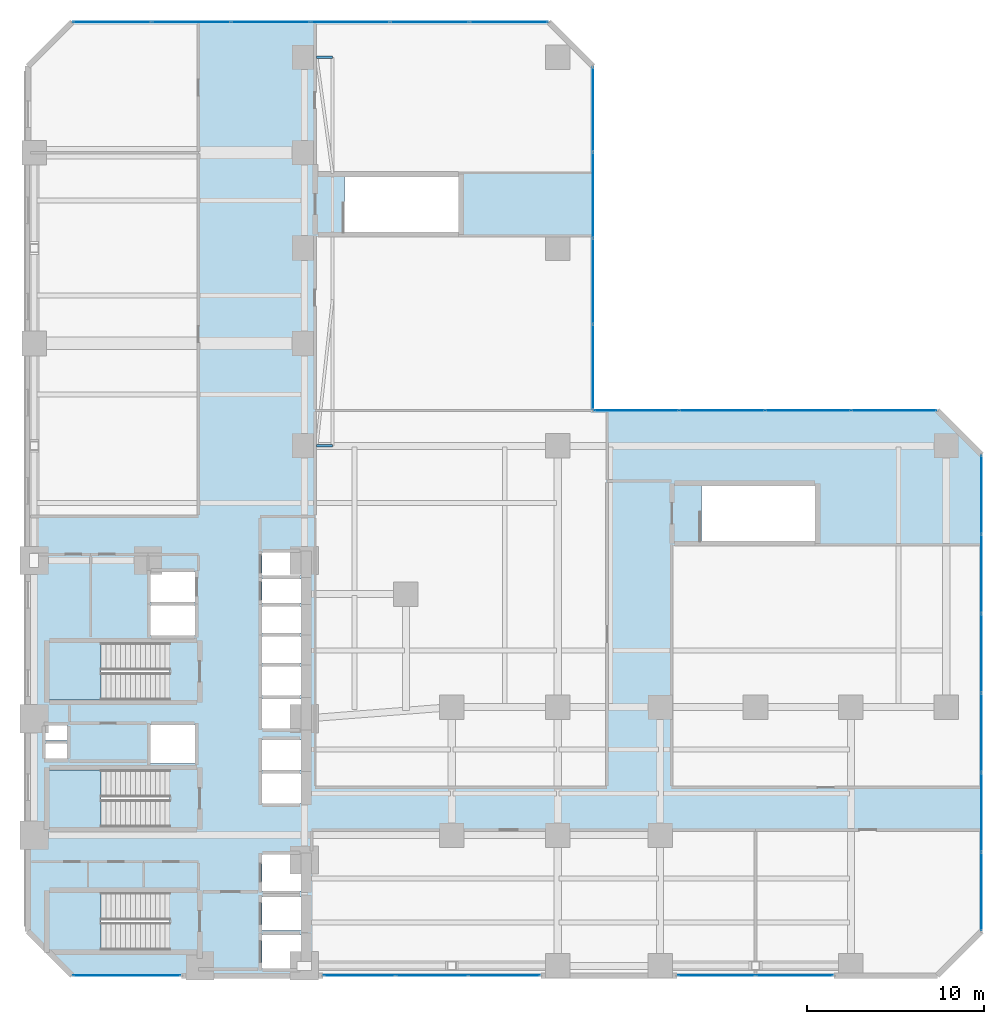
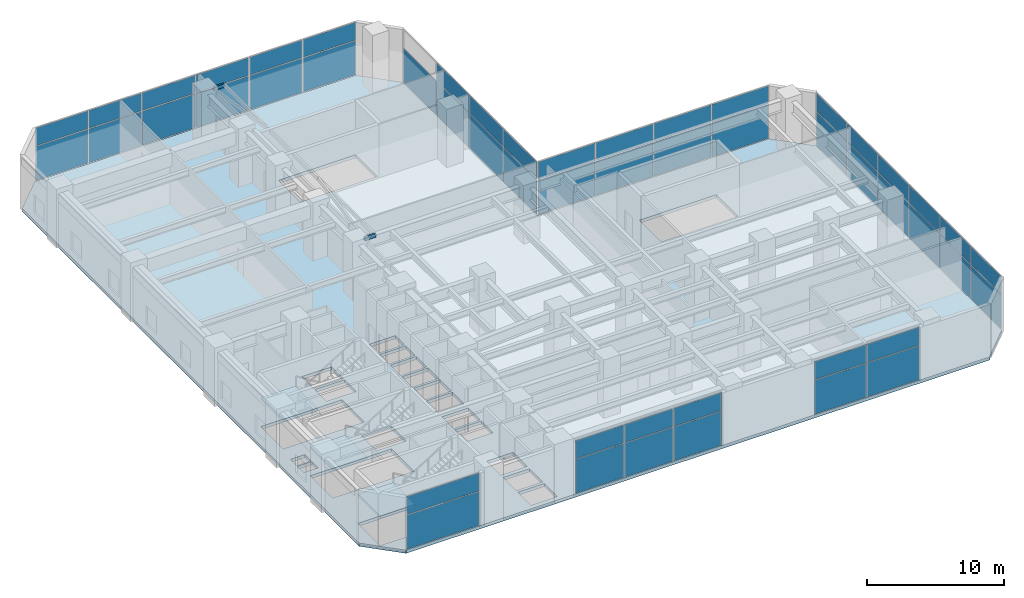
# One storey, part 21 of 29: 51 plates, 4 slabs, 2 beams, 10 elements without a shape of their own.
"""IFC4 building model written with IfcOpenShell, lengths in metres."""

from ifc_helpers import new_model, si_unit, direction, frame, origin, origin_2d, place, context, subcontext, project, spatial, polyline, rectangle, hollow_rectangle, outline, extrude, material, layer, layer_set, material_profile, profile_set, type_object, element, aggregate, save


model = new_model("IFC4")

# Units and contexts
model_context = context("Model", 3, precision=1e-05, world=origin(), true_north=direction((0.0, 1.0)))
body_context = subcontext(model_context, "Body", "Model", "MODEL_VIEW")
ifc_project = project(units=[si_unit("LENGTHUNIT", "METRE"), si_unit("AREAUNIT", "SQUARE_METRE"), si_unit("VOLUMEUNIT", "CUBIC_METRE"), si_unit("PLANEANGLEUNIT", "RADIAN"), si_unit("MASSUNIT", "GRAM", prefix="KILO")], contexts=[model_context])

# Site, building, storey
site_placement = place(None, origin())
site = spatial("IfcSite", under=ifc_project, at=site_placement, CompositionType="ELEMENT")
building_placement = place(site_placement, origin())
building = spatial("IfcBuilding", under=site, at=building_placement, Name="Mawjaban Terraces University", CompositionType="ELEMENT")
storey_placement = place(building_placement, frame((0.0, 0.0, 20.800048828125)))
storey = spatial("IfcBuildingStorey", under=building, at=storey_placement, Name="L04", CompositionType="ELEMENT", Elevation=20.800048828125)

# Beams
ifc_material_1 = material(Name="Steel EN 10210-1 S355J2H", Category="steel")
ifc_material_profile = material_profile(ifc_material_1, hollow_rectangle(XDim=0.14990234375, YDim=0.300048828125, WallThickness=0.012451171875, at=origin_2d()), Name="RHS300X150X12.5")
ifc_profile_set = profile_set([ifc_material_profile], Name="Steel EN 10210-1 S355J2H")
beam_type = type_object("IfcBeamType", Name="BalconyCantileverSpandrel_RHS", PredefinedType="SPANDREL", material=ifc_profile_set)
for number, where, z_axis, x_axis, name in (
    (1, (38.35009765625, 30.0, 4.6298828125), (1.0, 0.0, 0.0), (0.0, 1.0, 0.0), "L04 Exterior Outrigger BAL-L05-E.1"),
    (2, (38.35009765625, 52.0, 4.6298828125), (1.0, 0.0, 0.0), (0.0, 1.0, 0.0), "L04 Exterior Outrigger BAL-L05-E.2"),
):
    element("IfcBeam", number, at=place(storey_placement, frame(where, z_axis=z_axis, x_axis=x_axis)), inside=storey, type_object=beam_type, Name=name, PredefinedType="SPANDREL", context=body_context, shape_type="SweptSolid", body=[
        extrude(hollow_rectangle(XDim=0.14990234375, YDim=0.300048828125, WallThickness=0.012451171875, at=origin_2d()), origin(), (0.0, 0.0, 1.0), 0.89990234375),
    ])

# Slab
ifc_material_2 = material(Name="Concrete C40/50", Category="concrete")
ifc_layer_1 = layer(ifc_material_2, 0.280029296875)
ifc_layer_set_1 = layer_set([ifc_layer_1], Name="Concrete C40/50")
slab_type_1 = type_object("IfcSlabType", Name="PodiumSlab_280", PredefinedType="FLOOR", material=ifc_layer_set_1)
slab_1_placement = place(storey_placement, frame((0.0, 0.0, -0.280029296875)))
element("IfcSlab", 3, at=slab_1_placement, inside=storey, type_object=slab_type_1, Name="L04 Primary Structural Slab", PredefinedType="FLOOR", context=body_context, shape_type="SweptSolid", body=[
    extrude(outline(polyline([(24.5, 0.0), (73.5, 0.0), (76.0, 2.5), (76.0, 29.5), (73.5, 32.0), (54.0, 32.0), (54.0, 51.5), (51.5, 54.0), (24.5, 54.0), (22.0, 51.5), (22.0, 2.5), (24.5, 0.0)]), holes=[polyline([(30.014892578125, 4.699951171875), (23.199951171875, 4.699951171875), (23.199951171875, 1.449951171875), (30.014892578125, 1.449951171875), (30.014892578125, 4.699951171875)]), polyline([(30.014892578125, 18.85009765625), (23.199951171875, 18.85009765625), (23.199951171875, 15.60009765625), (30.014892578125, 15.60009765625), (30.014892578125, 18.85009765625)]), polyline([(30.014892578125, 11.64990234375), (23.199951171875, 11.64990234375), (23.199951171875, 8.39990234375), (30.014892578125, 8.39990234375), (30.014892578125, 11.64990234375)]), polyline([(39.93505859375, 42.10009765625), (46.39990234375, 42.10009765625), (46.39990234375, 45.25), (39.93505859375, 45.25), (39.93505859375, 42.10009765625)]), polyline([(60.135009765625, 24.60009765625), (66.60009765625, 24.60009765625), (66.60009765625, 27.75), (60.135009765625, 27.75), (60.135009765625, 24.60009765625)]), polyline([(35.25, 0.39990234375), (37.449951171875, 0.39990234375), (37.449951171875, 2.300048828125), (35.25, 2.300048828125), (35.25, 0.39990234375)]), polyline([(35.25, 2.550048828125), (37.449951171875, 2.550048828125), (37.449951171875, 4.449951171875), (35.25, 4.449951171875), (35.25, 2.550048828125)]), polyline([(35.25, 4.800048828125), (37.449951171875, 4.800048828125), (37.449951171875, 6.85009765625), (35.25, 6.85009765625), (35.25, 4.800048828125)]), polyline([(35.25, 9.75), (37.449951171875, 9.75), (37.449951171875, 11.449951171875), (35.25, 11.449951171875), (35.25, 9.75)]), polyline([(35.25, 11.64990234375), (37.449951171875, 11.64990234375), (37.449951171875, 13.35009765625), (35.25, 13.35009765625), (35.25, 11.64990234375)]), polyline([(28.949951171875, 12.0), (31.449951171875, 12.0), (31.449951171875, 14.199951171875), (28.949951171875, 14.199951171875), (28.949951171875, 12.0)]), polyline([(35.25, 14.0), (37.449951171875, 14.0), (37.449951171875, 15.64990234375), (35.25, 15.64990234375), (35.25, 14.0)]), polyline([(35.25, 15.85009765625), (37.449951171875, 15.85009765625), (37.449951171875, 17.5), (35.25, 17.5), (35.25, 15.85009765625)]), polyline([(35.25, 17.699951171875), (37.449951171875, 17.699951171875), (37.449951171875, 19.199951171875), (35.25, 19.199951171875), (35.25, 17.699951171875)]), polyline([(35.25, 19.39990234375), (37.449951171875, 19.39990234375), (37.449951171875, 20.89990234375), (35.25, 20.89990234375), (35.25, 19.39990234375)]), polyline([(28.949951171875, 19.25), (31.449951171875, 19.25), (31.449951171875, 20.949951171875), (28.949951171875, 20.949951171875), (28.949951171875, 19.25)]), polyline([(35.25, 21.10009765625), (37.449951171875, 21.10009765625), (37.449951171875, 22.449951171875), (35.25, 22.449951171875), (35.25, 21.10009765625)]), polyline([(35.25, 22.64990234375), (37.449951171875, 22.64990234375), (37.449951171875, 23.949951171875), (35.25, 23.949951171875), (35.25, 22.64990234375)]), polyline([(28.949951171875, 21.14990234375), (31.449951171875, 21.14990234375), (31.449951171875, 22.85009765625), (28.949951171875, 22.85009765625), (28.949951171875, 21.14990234375)]), polyline([(23.0, 12.25), (24.199951171875, 12.25), (24.199951171875, 13.14990234375), (23.0, 13.14990234375), (23.0, 12.25)]), polyline([(23.0, 13.300048828125), (24.199951171875, 13.300048828125), (24.199951171875, 14.179931640625), (23.0, 14.179931640625), (23.0, 13.300048828125)])]), origin(), (0.0, 0.0, 1.0), 0.280029296875),
])

# Stair, slab
stair_type = type_object("IfcStairType", Name="Stair_Core1550_H52", PredefinedType="HALF_TURN_STAIR", material=ifc_material_2)
stair_1_placement = place(storey_placement, origin())
stair_1 = element("IfcStair", 4, at=stair_1_placement, inside=storey, type_object=stair_type, Name="L04 Core Exit Stair 1", PredefinedType="HALF_TURN_STAIR")
ifc_layer_2 = layer(ifc_material_2, 0.199951171875)
ifc_layer_set_2 = layer_set([ifc_layer_2], Name="Concrete C40/50")
slab_type_2 = type_object("IfcSlabType", Name="StairLandingSlab_200", PredefinedType="LANDING", material=ifc_layer_set_2)
slab_2_placement = place(storey_placement, frame((0.0, 0.0, 2.39990234375)))
slab_2 = element("IfcSlab", 5, at=slab_2_placement, type_object=slab_type_2, Name="ST-1 landing 1", PredefinedType="LANDING", context=body_context, shape_type="SweptSolid", body=[
    extrude(outline(polyline([(26.1298828125, 4.699951171875), (23.199951171875, 4.699951171875), (23.199951171875, 1.449951171875), (26.1298828125, 1.449951171875), (26.1298828125, 4.699951171875)])), origin(), (0.0, 0.0, 1.0), 0.199951171875),
])
aggregate(stair_1, [slab_2])

stair_2_placement = place(storey_placement, origin())
stair_2 = element("IfcStair", 6, at=stair_2_placement, inside=storey, type_object=stair_type, Name="L04 Core Exit Stair 2", PredefinedType="HALF_TURN_STAIR")
slab_3_placement = place(storey_placement, frame((0.0, 0.0, 2.39990234375)))
slab_3 = element("IfcSlab", 7, at=slab_3_placement, type_object=slab_type_2, Name="ST-2 landing 1", PredefinedType="LANDING", context=body_context, shape_type="SweptSolid", body=[
    extrude(outline(polyline([(26.1298828125, 18.85009765625), (23.199951171875, 18.85009765625), (23.199951171875, 15.60009765625), (26.1298828125, 15.60009765625), (26.1298828125, 18.85009765625)])), origin(), (0.0, 0.0, 1.0), 0.199951171875),
])
aggregate(stair_2, [slab_3])

stair_3_placement = place(storey_placement, origin())
stair_3 = element("IfcStair", 8, at=stair_3_placement, inside=storey, type_object=stair_type, Name="L04 Core Exit Stair 3", PredefinedType="HALF_TURN_STAIR")
slab_4_placement = place(storey_placement, frame((0.0, 0.0, 2.39990234375)))
slab_4 = element("IfcSlab", 9, at=slab_4_placement, type_object=slab_type_2, Name="ST-3 landing 1", PredefinedType="LANDING", context=body_context, shape_type="SweptSolid", body=[
    extrude(outline(polyline([(26.1298828125, 11.64990234375), (23.199951171875, 11.64990234375), (23.199951171875, 8.39990234375), (26.1298828125, 8.39990234375), (26.1298828125, 11.64990234375)])), origin(), (0.0, 0.0, 1.0), 0.199951171875),
])
aggregate(stair_3, [slab_4])

# Curtain wall, plates
ifc_material_3 = material(Name="Anodised aluminium 6063-T6 and solar-control low-E glass", Category="aluminium")
ifc_layer_3 = layer(ifc_material_3, 0.175048828125)
ifc_layer_set_3 = layer_set([ifc_layer_3], Name="Anodised aluminium 6063-T6 and solar-control low-E glass")
curtain_wall_type = type_object("IfcCurtainWallType", Name="CWSystem_02_PodiumLibrary", PredefinedType="NOTDEFINED", material=ifc_layer_set_3)
curtain_wall_1_placement = place(storey_placement, origin())
curtain_wall_1 = element("IfcCurtainWall", 10, at=curtain_wall_1_placement, inside=storey, type_object=curtain_wall_type, Name="L04 Curtain Wall CW-02 Run 1.1", PredefinedType="NOTDEFINED")
ifc_material_4 = material(Name="Low-E solar-control double glazing", Category="glass")
ifc_layer_4 = layer(ifc_material_4, 0.030029296875)
ifc_layer_set_4 = layer_set([ifc_layer_4], Name="Low-E solar-control double glazing")
plate_type = type_object("IfcPlateType", Name="VisionPanel_CW-02", PredefinedType="CURTAIN_PANEL", material=ifc_layer_set_4)
plate_1_placement = place(storey_placement, frame((27.60009765625, 0.0, 0.059814453125), z_axis=(0.0, 0.0, 1.0), x_axis=(1.0, 0.0, 0.0)))
plate_1 = element("IfcPlate", 11, at=plate_1_placement, type_object=plate_type, Name="CW-02 panel 1.1", PredefinedType="CURTAIN_PANEL", context=body_context, shape_type="SweptSolid", body=[
    extrude(rectangle(XDim=6.070068359375, YDim=0.028076171875, at=origin_2d()), origin(), (0.0, 0.0, 1.0), 3.01708984375),
])
plate_2_placement = place(storey_placement, frame((27.60009765625, 0.0, 3.136962890625), z_axis=(0.0, 0.0, 1.0), x_axis=(1.0, 0.0, 0.0)))
plate_2 = element("IfcPlate", 12, at=plate_2_placement, type_object=plate_type, Name="CW-02 panel 1.2", PredefinedType="CURTAIN_PANEL", context=body_context, shape_type="SweptSolid", body=[
    extrude(rectangle(XDim=6.070068359375, YDim=0.028076171875, at=origin_2d()), origin(), (0.0, 0.0, 1.0), 1.5830078125),
])
aggregate(curtain_wall_1, [plate_1, plate_2])

curtain_wall_2_placement = place(storey_placement, origin())
curtain_wall_2 = element("IfcCurtainWall", 13, at=curtain_wall_2_placement, inside=storey, type_object=curtain_wall_type, Name="L04 Curtain Wall CW-02 Run 1.2", PredefinedType="NOTDEFINED")
plate_3_placement = place(storey_placement, frame((40.774658203125, 0.0, 0.059814453125), z_axis=(0.0, 0.0, 1.0), x_axis=(1.0, 0.0, 0.0)))
plate_3 = element("IfcPlate", 14, at=plate_3_placement, type_object=plate_type, Name="CW-02 panel 1.1", PredefinedType="CURTAIN_PANEL", context=body_context, shape_type="SweptSolid", body=[
    extrude(rectangle(XDim=4.019287109375, YDim=0.028076171875, at=origin_2d()), origin(), (0.0, 0.0, 1.0), 3.01708984375),
])
plate_4_placement = place(storey_placement, frame((40.774658203125, 0.0, 3.136962890625), z_axis=(0.0, 0.0, 1.0), x_axis=(1.0, 0.0, 0.0)))
plate_4 = element("IfcPlate", 15, at=plate_4_placement, type_object=plate_type, Name="CW-02 panel 1.2", PredefinedType="CURTAIN_PANEL", context=body_context, shape_type="SweptSolid", body=[
    extrude(rectangle(XDim=4.019287109375, YDim=0.028076171875, at=origin_2d()), origin(), (0.0, 0.0, 1.0), 1.5830078125),
])
plate_5_placement = place(storey_placement, frame((44.875, 0.0, 0.059814453125), z_axis=(0.0, 0.0, 1.0), x_axis=(1.0, 0.0, 0.0)))
plate_5 = element("IfcPlate", 16, at=plate_5_placement, type_object=plate_type, Name="CW-02 panel 2.1", PredefinedType="CURTAIN_PANEL", context=body_context, shape_type="SweptSolid", body=[
    extrude(rectangle(XDim=4.0517578125, YDim=0.028076171875, at=origin_2d()), origin(), (0.0, 0.0, 1.0), 3.01708984375),
])
plate_6_placement = place(storey_placement, frame((44.875, 0.0, 3.136962890625), z_axis=(0.0, 0.0, 1.0), x_axis=(1.0, 0.0, 0.0)))
plate_6 = element("IfcPlate", 17, at=plate_6_placement, type_object=plate_type, Name="CW-02 panel 2.2", PredefinedType="CURTAIN_PANEL", context=body_context, shape_type="SweptSolid", body=[
    extrude(rectangle(XDim=4.0517578125, YDim=0.028076171875, at=origin_2d()), origin(), (0.0, 0.0, 1.0), 1.5830078125),
])
plate_7_placement = place(storey_placement, frame((48.975341796875, 0.0, 0.059814453125), z_axis=(0.0, 0.0, 1.0), x_axis=(1.0, 0.0, 0.0)))
plate_7 = element("IfcPlate", 18, at=plate_7_placement, type_object=plate_type, Name="CW-02 panel 3.1", PredefinedType="CURTAIN_PANEL", context=body_context, shape_type="SweptSolid", body=[
    extrude(rectangle(XDim=4.019287109375, YDim=0.028076171875, at=origin_2d()), origin(), (0.0, 0.0, 1.0), 3.01708984375),
])
plate_8_placement = place(storey_placement, frame((48.975341796875, 0.0, 3.136962890625), z_axis=(0.0, 0.0, 1.0), x_axis=(1.0, 0.0, 0.0)))
plate_8 = element("IfcPlate", 19, at=plate_8_placement, type_object=plate_type, Name="CW-02 panel 3.2", PredefinedType="CURTAIN_PANEL", context=body_context, shape_type="SweptSolid", body=[
    extrude(rectangle(XDim=4.019287109375, YDim=0.028076171875, at=origin_2d()), origin(), (0.0, 0.0, 1.0), 1.5830078125),
])
aggregate(curtain_wall_2, [plate_3, plate_4, plate_5, plate_6, plate_7, plate_8])

curtain_wall_3_placement = place(storey_placement, origin())
curtain_wall_3 = element("IfcCurtainWall", 20, at=curtain_wall_3_placement, inside=storey, type_object=curtain_wall_type, Name="L04 Curtain Wall CW-02 Run 1.3", PredefinedType="NOTDEFINED")
plate_9_placement = place(storey_placement, frame((60.9912109375, 0.0, 0.059814453125), z_axis=(0.0, 0.0, 1.0), x_axis=(1.0, 0.0, 0.0)))
plate_9 = element("IfcPlate", 21, at=plate_9_placement, type_object=plate_type, Name="CW-02 panel 1.1", PredefinedType="CURTAIN_PANEL", context=body_context, shape_type="SweptSolid", body=[
    extrude(rectangle(XDim=4.3525390625, YDim=0.028076171875, at=origin_2d()), origin(), (0.0, 0.0, 1.0), 3.01708984375),
])
plate_10_placement = place(storey_placement, frame((60.9912109375, 0.0, 3.136962890625), z_axis=(0.0, 0.0, 1.0), x_axis=(1.0, 0.0, 0.0)))
plate_10 = element("IfcPlate", 22, at=plate_10_placement, type_object=plate_type, Name="CW-02 panel 1.2", PredefinedType="CURTAIN_PANEL", context=body_context, shape_type="SweptSolid", body=[
    extrude(rectangle(XDim=4.3525390625, YDim=0.028076171875, at=origin_2d()), origin(), (0.0, 0.0, 1.0), 1.5830078125),
])
plate_11_placement = place(storey_placement, frame((65.40869140625, 0.0, 0.059814453125), z_axis=(0.0, 0.0, 1.0), x_axis=(1.0, 0.0, 0.0)))
plate_11 = element("IfcPlate", 23, at=plate_11_placement, type_object=plate_type, Name="CW-02 panel 2.1", PredefinedType="CURTAIN_PANEL", context=body_context, shape_type="SweptSolid", body=[
    extrude(rectangle(XDim=4.3525390625, YDim=0.028076171875, at=origin_2d()), origin(), (0.0, 0.0, 1.0), 3.01708984375),
])
plate_12_placement = place(storey_placement, frame((65.40869140625, 0.0, 3.136962890625), z_axis=(0.0, 0.0, 1.0), x_axis=(1.0, 0.0, 0.0)))
plate_12 = element("IfcPlate", 24, at=plate_12_placement, type_object=plate_type, Name="CW-02 panel 2.2", PredefinedType="CURTAIN_PANEL", context=body_context, shape_type="SweptSolid", body=[
    extrude(rectangle(XDim=4.3525390625, YDim=0.028076171875, at=origin_2d()), origin(), (0.0, 0.0, 1.0), 1.5830078125),
])
aggregate(curtain_wall_3, [plate_9, plate_10, plate_11, plate_12])

curtain_wall_4_placement = place(storey_placement, origin())
curtain_wall_4 = element("IfcCurtainWall", 25, at=curtain_wall_4_placement, inside=storey, type_object=curtain_wall_type, Name="L04 Curtain Wall CW-02 Run 3.1", PredefinedType="NOTDEFINED")
plate_13_placement = place(storey_placement, frame((76.0, 4.766357421875, 0.059814453125), z_axis=(0.0, 0.0, 1.0), x_axis=(0.0, 1.0, 0.0)))
plate_13 = element("IfcPlate", 26, at=plate_13_placement, type_object=plate_type, Name="CW-02 panel 1.1", PredefinedType="CURTAIN_PANEL", context=body_context, shape_type="SweptSolid", body=[
    extrude(rectangle(XDim=4.402587890625, YDim=0.028076171875, at=origin_2d()), origin(), (0.0, 0.0, 1.0), 3.01708984375),
])
plate_14_placement = place(storey_placement, frame((76.0, 4.766357421875, 3.136962890625), z_axis=(0.0, 0.0, 1.0), x_axis=(0.0, 1.0, 0.0)))
plate_14 = element("IfcPlate", 27, at=plate_14_placement, type_object=plate_type, Name="CW-02 panel 1.2", PredefinedType="CURTAIN_PANEL", context=body_context, shape_type="SweptSolid", body=[
    extrude(rectangle(XDim=4.402587890625, YDim=0.028076171875, at=origin_2d()), origin(), (0.0, 0.0, 1.0), 1.5830078125),
])
plate_15_placement = place(storey_placement, frame((76.0, 9.25, 0.059814453125), z_axis=(0.0, 0.0, 1.0), x_axis=(0.0, 1.0, 0.0)))
plate_15 = element("IfcPlate", 28, at=plate_15_placement, type_object=plate_type, Name="CW-02 panel 2.1", PredefinedType="CURTAIN_PANEL", context=body_context, shape_type="SweptSolid", body=[
    extrude(rectangle(XDim=4.43505859375, YDim=0.028076171875, at=origin_2d()), origin(), (0.0, 0.0, 1.0), 3.01708984375),
])
plate_16_placement = place(storey_placement, frame((76.0, 9.25, 3.136962890625), z_axis=(0.0, 0.0, 1.0), x_axis=(0.0, 1.0, 0.0)))
plate_16 = element("IfcPlate", 29, at=plate_16_placement, type_object=plate_type, Name="CW-02 panel 2.2", PredefinedType="CURTAIN_PANEL", context=body_context, shape_type="SweptSolid", body=[
    extrude(rectangle(XDim=4.43505859375, YDim=0.028076171875, at=origin_2d()), origin(), (0.0, 0.0, 1.0), 1.5830078125),
])
plate_17_placement = place(storey_placement, frame((76.0, 13.75, 0.059814453125), z_axis=(0.0, 0.0, 1.0), x_axis=(0.0, 1.0, 0.0)))
plate_17 = element("IfcPlate", 30, at=plate_17_placement, type_object=plate_type, Name="CW-02 panel 3.1", PredefinedType="CURTAIN_PANEL", context=body_context, shape_type="SweptSolid", body=[
    extrude(rectangle(XDim=4.43505859375, YDim=0.028076171875, at=origin_2d()), origin(), (0.0, 0.0, 1.0), 3.01708984375),
])
plate_18_placement = place(storey_placement, frame((76.0, 13.75, 3.136962890625), z_axis=(0.0, 0.0, 1.0), x_axis=(0.0, 1.0, 0.0)))
plate_18 = element("IfcPlate", 31, at=plate_18_placement, type_object=plate_type, Name="CW-02 panel 3.2", PredefinedType="CURTAIN_PANEL", context=body_context, shape_type="SweptSolid", body=[
    extrude(rectangle(XDim=4.43505859375, YDim=0.028076171875, at=origin_2d()), origin(), (0.0, 0.0, 1.0), 1.5830078125),
])
plate_19_placement = place(storey_placement, frame((76.0, 18.25, 0.059814453125), z_axis=(0.0, 0.0, 1.0), x_axis=(0.0, 1.0, 0.0)))
plate_19 = element("IfcPlate", 32, at=plate_19_placement, type_object=plate_type, Name="CW-02 panel 4.1", PredefinedType="CURTAIN_PANEL", context=body_context, shape_type="SweptSolid", body=[
    extrude(rectangle(XDim=4.43505859375, YDim=0.028076171875, at=origin_2d()), origin(), (0.0, 0.0, 1.0), 3.01708984375),
])
plate_20_placement = place(storey_placement, frame((76.0, 18.25, 3.136962890625), z_axis=(0.0, 0.0, 1.0), x_axis=(0.0, 1.0, 0.0)))
plate_20 = element("IfcPlate", 33, at=plate_20_placement, type_object=plate_type, Name="CW-02 panel 4.2", PredefinedType="CURTAIN_PANEL", context=body_context, shape_type="SweptSolid", body=[
    extrude(rectangle(XDim=4.43505859375, YDim=0.028076171875, at=origin_2d()), origin(), (0.0, 0.0, 1.0), 1.5830078125),
])
plate_21_placement = place(storey_placement, frame((76.0, 22.75, 0.059814453125), z_axis=(0.0, 0.0, 1.0), x_axis=(0.0, 1.0, 0.0)))
plate_21 = element("IfcPlate", 34, at=plate_21_placement, type_object=plate_type, Name="CW-02 panel 5.1", PredefinedType="CURTAIN_PANEL", context=body_context, shape_type="SweptSolid", body=[
    extrude(rectangle(XDim=4.43505859375, YDim=0.028076171875, at=origin_2d()), origin(), (0.0, 0.0, 1.0), 3.01708984375),
])
plate_22_placement = place(storey_placement, frame((76.0, 22.75, 3.136962890625), z_axis=(0.0, 0.0, 1.0), x_axis=(0.0, 1.0, 0.0)))
plate_22 = element("IfcPlate", 35, at=plate_22_placement, type_object=plate_type, Name="CW-02 panel 5.2", PredefinedType="CURTAIN_PANEL", context=body_context, shape_type="SweptSolid", body=[
    extrude(rectangle(XDim=4.43505859375, YDim=0.028076171875, at=origin_2d()), origin(), (0.0, 0.0, 1.0), 1.5830078125),
])
plate_23_placement = place(storey_placement, frame((76.0, 27.233642578125, 0.059814453125), z_axis=(0.0, 0.0, 1.0), x_axis=(0.0, 1.0, 0.0)))
plate_23 = element("IfcPlate", 36, at=plate_23_placement, type_object=plate_type, Name="CW-02 panel 6.1", PredefinedType="CURTAIN_PANEL", context=body_context, shape_type="SweptSolid", body=[
    extrude(rectangle(XDim=4.402587890625, YDim=0.028076171875, at=origin_2d()), origin(), (0.0, 0.0, 1.0), 3.01708984375),
])
plate_24_placement = place(storey_placement, frame((76.0, 27.233642578125, 3.136962890625), z_axis=(0.0, 0.0, 1.0), x_axis=(0.0, 1.0, 0.0)))
plate_24 = element("IfcPlate", 37, at=plate_24_placement, type_object=plate_type, Name="CW-02 panel 6.2", PredefinedType="CURTAIN_PANEL", context=body_context, shape_type="SweptSolid", body=[
    extrude(rectangle(XDim=4.402587890625, YDim=0.028076171875, at=origin_2d()), origin(), (0.0, 0.0, 1.0), 1.5830078125),
])
aggregate(curtain_wall_4, [plate_13, plate_14, plate_15, plate_16, plate_17, plate_18, plate_19, plate_20, plate_21, plate_22, plate_23, plate_24])

curtain_wall_5_placement = place(storey_placement, origin())
curtain_wall_5 = element("IfcCurtainWall", 38, at=curtain_wall_5_placement, inside=storey, type_object=curtain_wall_type, Name="L04 Curtain Wall CW-02 Run 5.1", PredefinedType="NOTDEFINED")
plate_25_placement = place(storey_placement, frame((71.046142578125, 32.0, 0.059814453125), z_axis=(0.0, 0.0, 1.0), x_axis=(-1.0, 0.0, 0.0)))
plate_25 = element("IfcPlate", 39, at=plate_25_placement, type_object=plate_type, Name="CW-02 panel 1.1", PredefinedType="CURTAIN_PANEL", context=body_context, shape_type="SweptSolid", body=[
    extrude(rectangle(XDim=4.777587890625, YDim=0.028076171875, at=origin_2d()), origin(), (0.0, 0.0, 1.0), 3.01708984375),
])
plate_26_placement = place(storey_placement, frame((71.046142578125, 32.0, 3.136962890625), z_axis=(0.0, 0.0, 1.0), x_axis=(-1.0, 0.0, 0.0)))
plate_26 = element("IfcPlate", 40, at=plate_26_placement, type_object=plate_type, Name="CW-02 panel 1.2", PredefinedType="CURTAIN_PANEL", context=body_context, shape_type="SweptSolid", body=[
    extrude(rectangle(XDim=4.777587890625, YDim=0.028076171875, at=origin_2d()), origin(), (0.0, 0.0, 1.0), 1.5830078125),
])
plate_27_placement = place(storey_placement, frame((66.1875, 32.0, 0.059814453125), z_axis=(0.0, 0.0, 1.0), x_axis=(-1.0, 0.0, 0.0)))
plate_27 = element("IfcPlate", 41, at=plate_27_placement, type_object=plate_type, Name="CW-02 panel 2.1", PredefinedType="CURTAIN_PANEL", context=body_context, shape_type="SweptSolid", body=[
    extrude(rectangle(XDim=4.81005859375, YDim=0.028076171875, at=origin_2d()), origin(), (0.0, 0.0, 1.0), 3.01708984375),
])
plate_28_placement = place(storey_placement, frame((66.1875, 32.0, 3.136962890625), z_axis=(0.0, 0.0, 1.0), x_axis=(-1.0, 0.0, 0.0)))
plate_28 = element("IfcPlate", 42, at=plate_28_placement, type_object=plate_type, Name="CW-02 panel 2.2", PredefinedType="CURTAIN_PANEL", context=body_context, shape_type="SweptSolid", body=[
    extrude(rectangle(XDim=4.81005859375, YDim=0.028076171875, at=origin_2d()), origin(), (0.0, 0.0, 1.0), 1.5830078125),
])
plate_29_placement = place(storey_placement, frame((61.3125, 32.0, 0.059814453125), z_axis=(0.0, 0.0, 1.0), x_axis=(-1.0, 0.0, 0.0)))
plate_29 = element("IfcPlate", 43, at=plate_29_placement, type_object=plate_type, Name="CW-02 panel 3.1", PredefinedType="CURTAIN_PANEL", context=body_context, shape_type="SweptSolid", body=[
    extrude(rectangle(XDim=4.81005859375, YDim=0.028076171875, at=origin_2d()), origin(), (0.0, 0.0, 1.0), 3.01708984375),
])
plate_30_placement = place(storey_placement, frame((61.3125, 32.0, 3.136962890625), z_axis=(0.0, 0.0, 1.0), x_axis=(-1.0, 0.0, 0.0)))
plate_30 = element("IfcPlate", 44, at=plate_30_placement, type_object=plate_type, Name="CW-02 panel 3.2", PredefinedType="CURTAIN_PANEL", context=body_context, shape_type="SweptSolid", body=[
    extrude(rectangle(XDim=4.81005859375, YDim=0.028076171875, at=origin_2d()), origin(), (0.0, 0.0, 1.0), 1.5830078125),
])
plate_31_placement = place(storey_placement, frame((56.453857421875, 32.0, 0.059814453125), z_axis=(0.0, 0.0, 1.0), x_axis=(-1.0, 0.0, 0.0)))
plate_31 = element("IfcPlate", 45, at=plate_31_placement, type_object=plate_type, Name="CW-02 panel 4.1", PredefinedType="CURTAIN_PANEL", context=body_context, shape_type="SweptSolid", body=[
    extrude(rectangle(XDim=4.777587890625, YDim=0.028076171875, at=origin_2d()), origin(), (0.0, 0.0, 1.0), 3.01708984375),
])
plate_32_placement = place(storey_placement, frame((56.453857421875, 32.0, 3.136962890625), z_axis=(0.0, 0.0, 1.0), x_axis=(-1.0, 0.0, 0.0)))
plate_32 = element("IfcPlate", 46, at=plate_32_placement, type_object=plate_type, Name="CW-02 panel 4.2", PredefinedType="CURTAIN_PANEL", context=body_context, shape_type="SweptSolid", body=[
    extrude(rectangle(XDim=4.777587890625, YDim=0.028076171875, at=origin_2d()), origin(), (0.0, 0.0, 1.0), 1.5830078125),
])
aggregate(curtain_wall_5, [plate_25, plate_26, plate_27, plate_28, plate_29, plate_30, plate_31, plate_32])

curtain_wall_6_placement = place(storey_placement, origin())
curtain_wall_6 = element("IfcCurtainWall", 47, at=curtain_wall_6_placement, inside=storey, type_object=curtain_wall_type, Name="L04 Curtain Wall CW-02 Run 6.1", PredefinedType="NOTDEFINED")
plate_33_placement = place(storey_placement, frame((54.0, 34.453857421875, 0.059814453125), z_axis=(0.0, 0.0, 1.0), x_axis=(0.0, 1.0, 0.0)))
plate_33 = element("IfcPlate", 48, at=plate_33_placement, type_object=plate_type, Name="CW-02 panel 1.1", PredefinedType="CURTAIN_PANEL", context=body_context, shape_type="SweptSolid", body=[
    extrude(rectangle(XDim=4.777587890625, YDim=0.028076171875, at=origin_2d()), origin(), (0.0, 0.0, 1.0), 3.01708984375),
])
plate_34_placement = place(storey_placement, frame((54.0, 34.453857421875, 3.136962890625), z_axis=(0.0, 0.0, 1.0), x_axis=(0.0, 1.0, 0.0)))
plate_34 = element("IfcPlate", 49, at=plate_34_placement, type_object=plate_type, Name="CW-02 panel 1.2", PredefinedType="CURTAIN_PANEL", context=body_context, shape_type="SweptSolid", body=[
    extrude(rectangle(XDim=4.777587890625, YDim=0.028076171875, at=origin_2d()), origin(), (0.0, 0.0, 1.0), 1.5830078125),
])
plate_35_placement = place(storey_placement, frame((54.0, 39.3125, 0.059814453125), z_axis=(0.0, 0.0, 1.0), x_axis=(0.0, 1.0, 0.0)))
plate_35 = element("IfcPlate", 50, at=plate_35_placement, type_object=plate_type, Name="CW-02 panel 2.1", PredefinedType="CURTAIN_PANEL", context=body_context, shape_type="SweptSolid", body=[
    extrude(rectangle(XDim=4.81005859375, YDim=0.028076171875, at=origin_2d()), origin(), (0.0, 0.0, 1.0), 3.01708984375),
])
plate_36_placement = place(storey_placement, frame((54.0, 39.3125, 3.136962890625), z_axis=(0.0, 0.0, 1.0), x_axis=(0.0, 1.0, 0.0)))
plate_36 = element("IfcPlate", 51, at=plate_36_placement, type_object=plate_type, Name="CW-02 panel 2.2", PredefinedType="CURTAIN_PANEL", context=body_context, shape_type="SweptSolid", body=[
    extrude(rectangle(XDim=4.81005859375, YDim=0.028076171875, at=origin_2d()), origin(), (0.0, 0.0, 1.0), 1.5830078125),
])
plate_37_placement = place(storey_placement, frame((54.0, 44.1875, 0.059814453125), z_axis=(0.0, 0.0, 1.0), x_axis=(0.0, 1.0, 0.0)))
plate_37 = element("IfcPlate", 52, at=plate_37_placement, type_object=plate_type, Name="CW-02 panel 3.1", PredefinedType="CURTAIN_PANEL", context=body_context, shape_type="SweptSolid", body=[
    extrude(rectangle(XDim=4.81005859375, YDim=0.028076171875, at=origin_2d()), origin(), (0.0, 0.0, 1.0), 3.01708984375),
])
plate_38_placement = place(storey_placement, frame((54.0, 44.1875, 3.136962890625), z_axis=(0.0, 0.0, 1.0), x_axis=(0.0, 1.0, 0.0)))
plate_38 = element("IfcPlate", 53, at=plate_38_placement, type_object=plate_type, Name="CW-02 panel 3.2", PredefinedType="CURTAIN_PANEL", context=body_context, shape_type="SweptSolid", body=[
    extrude(rectangle(XDim=4.81005859375, YDim=0.028076171875, at=origin_2d()), origin(), (0.0, 0.0, 1.0), 1.5830078125),
])
plate_39_placement = place(storey_placement, frame((54.0, 49.046142578125, 0.059814453125), z_axis=(0.0, 0.0, 1.0), x_axis=(0.0, 1.0, 0.0)))
plate_39 = element("IfcPlate", 54, at=plate_39_placement, type_object=plate_type, Name="CW-02 panel 4.1", PredefinedType="CURTAIN_PANEL", context=body_context, shape_type="SweptSolid", body=[
    extrude(rectangle(XDim=4.777587890625, YDim=0.028076171875, at=origin_2d()), origin(), (0.0, 0.0, 1.0), 3.01708984375),
])
aggregate(curtain_wall_6, [plate_33, plate_34, plate_35, plate_36, plate_37, plate_38, plate_39])

curtain_wall_7_placement = place(storey_placement, origin())
curtain_wall_7 = element("IfcCurtainWall", 55, at=curtain_wall_7_placement, inside=storey, type_object=curtain_wall_type, Name="L04 Curtain Wall CW-02 Run 8.1", PredefinedType="NOTDEFINED")
plate_40_placement = place(storey_placement, frame((49.233642578125, 54.0, 0.059814453125), z_axis=(0.0, 0.0, 1.0), x_axis=(-1.0, 0.0, 0.0)))
plate_40 = element("IfcPlate", 56, at=plate_40_placement, type_object=plate_type, Name="CW-02 panel 1.1", PredefinedType="CURTAIN_PANEL", context=body_context, shape_type="SweptSolid", body=[
    extrude(rectangle(XDim=4.402587890625, YDim=0.028076171875, at=origin_2d()), origin(), (0.0, 0.0, 1.0), 3.01708984375),
])
plate_41_placement = place(storey_placement, frame((49.233642578125, 54.0, 3.136962890625), z_axis=(0.0, 0.0, 1.0), x_axis=(-1.0, 0.0, 0.0)))
plate_41 = element("IfcPlate", 57, at=plate_41_placement, type_object=plate_type, Name="CW-02 panel 1.2", PredefinedType="CURTAIN_PANEL", context=body_context, shape_type="SweptSolid", body=[
    extrude(rectangle(XDim=4.402587890625, YDim=0.028076171875, at=origin_2d()), origin(), (0.0, 0.0, 1.0), 1.5830078125),
])
plate_42_placement = place(storey_placement, frame((44.75, 54.0, 0.059814453125), z_axis=(0.0, 0.0, 1.0), x_axis=(-1.0, 0.0, 0.0)))
plate_42 = element("IfcPlate", 58, at=plate_42_placement, type_object=plate_type, Name="CW-02 panel 2.1", PredefinedType="CURTAIN_PANEL", context=body_context, shape_type="SweptSolid", body=[
    extrude(rectangle(XDim=4.43505859375, YDim=0.028076171875, at=origin_2d()), origin(), (0.0, 0.0, 1.0), 3.01708984375),
])
plate_43_placement = place(storey_placement, frame((44.75, 54.0, 3.136962890625), z_axis=(0.0, 0.0, 1.0), x_axis=(-1.0, 0.0, 0.0)))
plate_43 = element("IfcPlate", 59, at=plate_43_placement, type_object=plate_type, Name="CW-02 panel 2.2", PredefinedType="CURTAIN_PANEL", context=body_context, shape_type="SweptSolid", body=[
    extrude(rectangle(XDim=4.43505859375, YDim=0.028076171875, at=origin_2d()), origin(), (0.0, 0.0, 1.0), 1.5830078125),
])
plate_44_placement = place(storey_placement, frame((40.25, 54.0, 0.059814453125), z_axis=(0.0, 0.0, 1.0), x_axis=(-1.0, 0.0, 0.0)))
plate_44 = element("IfcPlate", 60, at=plate_44_placement, type_object=plate_type, Name="CW-02 panel 3.1", PredefinedType="CURTAIN_PANEL", context=body_context, shape_type="SweptSolid", body=[
    extrude(rectangle(XDim=4.43505859375, YDim=0.028076171875, at=origin_2d()), origin(), (0.0, 0.0, 1.0), 3.01708984375),
])
plate_45_placement = place(storey_placement, frame((40.25, 54.0, 3.136962890625), z_axis=(0.0, 0.0, 1.0), x_axis=(-1.0, 0.0, 0.0)))
plate_45 = element("IfcPlate", 61, at=plate_45_placement, type_object=plate_type, Name="CW-02 panel 3.2", PredefinedType="CURTAIN_PANEL", context=body_context, shape_type="SweptSolid", body=[
    extrude(rectangle(XDim=4.43505859375, YDim=0.028076171875, at=origin_2d()), origin(), (0.0, 0.0, 1.0), 1.5830078125),
])
plate_46_placement = place(storey_placement, frame((35.75, 54.0, 0.059814453125), z_axis=(0.0, 0.0, 1.0), x_axis=(-1.0, 0.0, 0.0)))
plate_46 = element("IfcPlate", 62, at=plate_46_placement, type_object=plate_type, Name="CW-02 panel 4.1", PredefinedType="CURTAIN_PANEL", context=body_context, shape_type="SweptSolid", body=[
    extrude(rectangle(XDim=4.43505859375, YDim=0.028076171875, at=origin_2d()), origin(), (0.0, 0.0, 1.0), 3.01708984375),
])
plate_47_placement = place(storey_placement, frame((35.75, 54.0, 3.136962890625), z_axis=(0.0, 0.0, 1.0), x_axis=(-1.0, 0.0, 0.0)))
plate_47 = element("IfcPlate", 63, at=plate_47_placement, type_object=plate_type, Name="CW-02 panel 4.2", PredefinedType="CURTAIN_PANEL", context=body_context, shape_type="SweptSolid", body=[
    extrude(rectangle(XDim=4.43505859375, YDim=0.028076171875, at=origin_2d()), origin(), (0.0, 0.0, 1.0), 1.5830078125),
])
plate_48_placement = place(storey_placement, frame((31.25, 54.0, 0.059814453125), z_axis=(0.0, 0.0, 1.0), x_axis=(-1.0, 0.0, 0.0)))
plate_48 = element("IfcPlate", 64, at=plate_48_placement, type_object=plate_type, Name="CW-02 panel 5.1", PredefinedType="CURTAIN_PANEL", context=body_context, shape_type="SweptSolid", body=[
    extrude(rectangle(XDim=4.43505859375, YDim=0.028076171875, at=origin_2d()), origin(), (0.0, 0.0, 1.0), 3.01708984375),
])
plate_49_placement = place(storey_placement, frame((31.25, 54.0, 3.136962890625), z_axis=(0.0, 0.0, 1.0), x_axis=(-1.0, 0.0, 0.0)))
plate_49 = element("IfcPlate", 65, at=plate_49_placement, type_object=plate_type, Name="CW-02 panel 5.2", PredefinedType="CURTAIN_PANEL", context=body_context, shape_type="SweptSolid", body=[
    extrude(rectangle(XDim=4.43505859375, YDim=0.028076171875, at=origin_2d()), origin(), (0.0, 0.0, 1.0), 1.5830078125),
])
plate_50_placement = place(storey_placement, frame((26.766357421875, 54.0, 0.059814453125), z_axis=(0.0, 0.0, 1.0), x_axis=(-1.0, 0.0, 0.0)))
plate_50 = element("IfcPlate", 66, at=plate_50_placement, type_object=plate_type, Name="CW-02 panel 6.1", PredefinedType="CURTAIN_PANEL", context=body_context, shape_type="SweptSolid", body=[
    extrude(rectangle(XDim=4.402587890625, YDim=0.028076171875, at=origin_2d()), origin(), (0.0, 0.0, 1.0), 3.01708984375),
])
plate_51_placement = place(storey_placement, frame((26.766357421875, 54.0, 3.136962890625), z_axis=(0.0, 0.0, 1.0), x_axis=(-1.0, 0.0, 0.0)))
plate_51 = element("IfcPlate", 67, at=plate_51_placement, type_object=plate_type, Name="CW-02 panel 6.2", PredefinedType="CURTAIN_PANEL", context=body_context, shape_type="SweptSolid", body=[
    extrude(rectangle(XDim=4.402587890625, YDim=0.028076171875, at=origin_2d()), origin(), (0.0, 0.0, 1.0), 1.5830078125),
])
aggregate(curtain_wall_7, [plate_40, plate_41, plate_42, plate_43, plate_44, plate_45, plate_46, plate_47, plate_48, plate_49, plate_50, plate_51])

save(model, "model.ifc")
